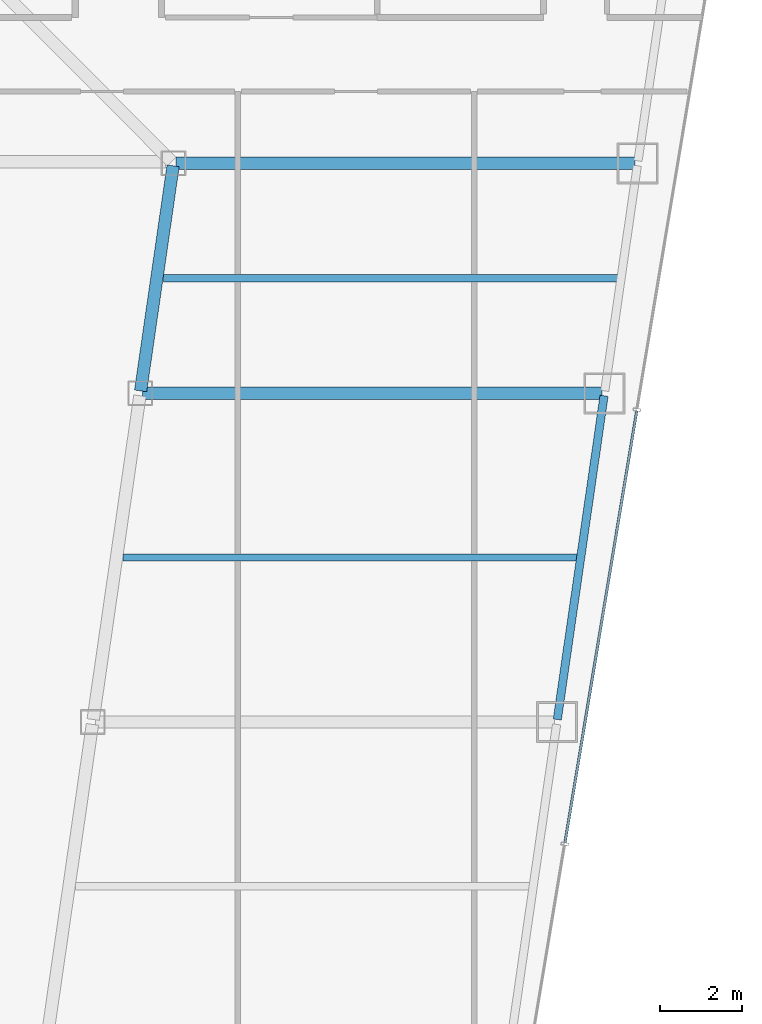
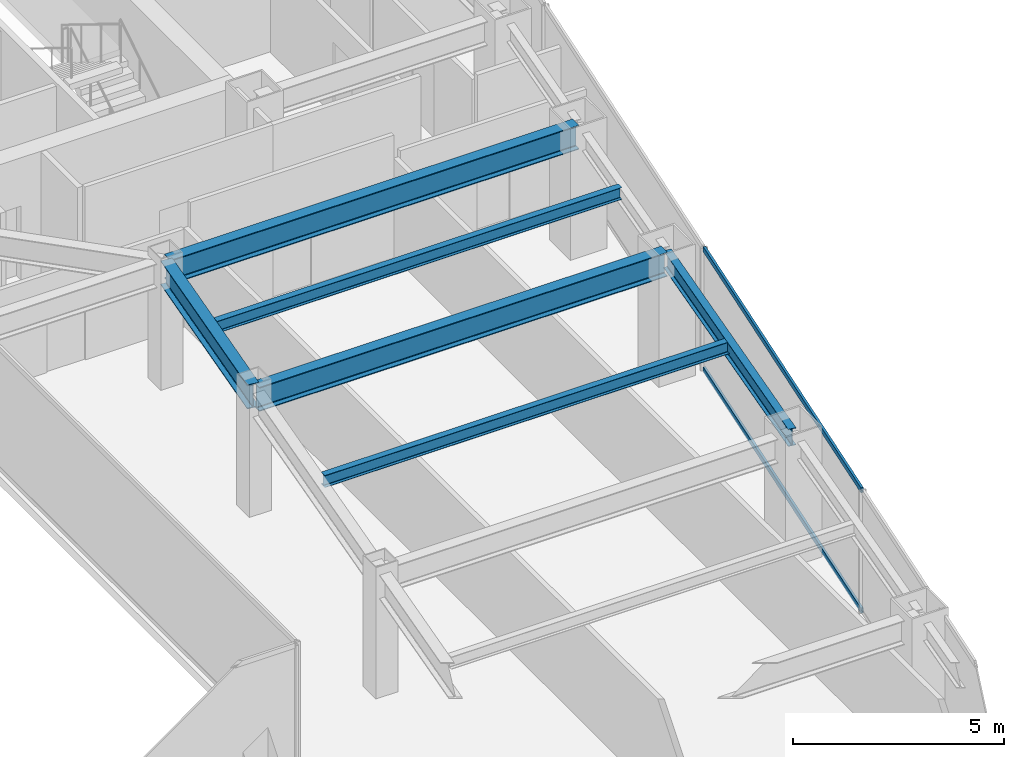
# One storey, part 17 of 36: 6 beams, 2 members, 1 element without a shape of its own.
"""IFC4 building model written with IfcOpenShell, lengths in metres."""

import ifcopenshell
import ifcopenshell.guid

model = None  # the IFC model being written
_history = None  # IfcOwnerHistory: only IFC2X3 demands one
_inside = {}  # id of a spatial element -> (the spatial element, [elements in it])
_under = {}  # id of a project, library or spatial element -> (it, [spatial elements below it])
_declared = {}  # id of a project -> (the project, [libraries it declares])
_typed = {}  # id of a type object -> (the type object, [elements of that type])
_made_of = {}  # id of a material, layer set ... -> (it, [elements and type objects made of it])


def new_model(schema):
    """Start an empty IFC model of exactly this schema.

    Asked for "IFC4X3", IfcOpenShell would pick the latest addendum, in which some entities
    have other attributes; the version numbers below select the first issue.
    IFC2X3 requires an IfcOwnerHistory on every rooted entity: one is made here for all.
    """
    global model, _history
    if schema == "IFC4X3":
        model = ifcopenshell.file(schema_version=(4, 3, 0, 0))
    else:
        model = ifcopenshell.file(schema=schema)
    _inside.clear()
    _under.clear()
    _declared.clear()
    _typed.clear()
    _made_of.clear()
    _history = None
    if model.schema == "IFC2X3":
        org = make("IfcOrganization", Name="unknown")
        user = make(
            "IfcPersonAndOrganization",
            ThePerson=make("IfcPerson", FamilyName="unknown"),
            TheOrganization=org,
        )
        app = make(
            "IfcApplication",
            ApplicationDeveloper=org,
            Version="unknown",
            ApplicationFullName="unknown",
            ApplicationIdentifier="unknown",
        )
        _history = make(
            "IfcOwnerHistory",
            OwningUser=user,
            OwningApplication=app,
            ChangeAction="ADDED",
            CreationDate=0,
        )
    return model


def make(cls, **values):
    """One entity of the class cls with the attributes given. An attribute that is None is left unset."""
    return model.create_entity(
        cls, **{name: value for name, value in values.items() if value is not None}
    )


def rooted(cls, **values):
    """An entity with a GlobalId (a new one), such as an element, a storey or a relation."""
    return make(cls, GlobalId=ifcopenshell.guid.new(), OwnerHistory=_history, **values)


def si_unit(unit_type, name, prefix=None):
    """IfcSIUnit, for example si_unit("LENGTHUNIT", "METRE", prefix="MILLI")."""
    return make("IfcSIUnit", UnitType=unit_type, Prefix=prefix, Name=name)


def assignment(units):
    """IfcUnitAssignment: the units of a project."""
    return None if units is None else make("IfcUnitAssignment", Units=units)


def point(xyz):
    """IfcCartesianPoint."""
    return None if xyz is None else make("IfcCartesianPoint", Coordinates=xyz)


def direction(xyz):
    """IfcDirection."""
    return None if xyz is None else make("IfcDirection", DirectionRatios=xyz)


def frame(location, z_axis=None, x_axis=None):
    """IfcAxis2Placement3D, a coordinate frame: its origin and axes. An axis left out is left unset."""
    return make(
        "IfcAxis2Placement3D",
        Location=point(location),
        Axis=direction(z_axis),
        RefDirection=direction(x_axis),
    )


def frame_2d(location, x_axis=None):
    """IfcAxis2Placement2D, a coordinate frame in the plane: its origin and x axis."""
    return make(
        "IfcAxis2Placement2D", Location=point(location), RefDirection=direction(x_axis)
    )


def origin():
    """The frame at (0, 0, 0) with its axes left unset."""
    return frame((0.0, 0.0, 0.0))


def origin_2d():
    """The frame at (0, 0) in the plane with its x axis left unset."""
    return frame_2d((0.0, 0.0))


def place(relative_to, where):
    """IfcLocalPlacement: puts the frame where relative to a parent placement (None: the world)."""
    return make(
        "IfcLocalPlacement", PlacementRelTo=relative_to, RelativePlacement=where
    )


def context(
    kind, dimensions, precision=None, world=None, true_north=None, identifier=None
):
    """IfcGeometricRepresentationContext, for example the 3D "Model" context."""
    return make(
        "IfcGeometricRepresentationContext",
        ContextIdentifier=identifier,
        ContextType=kind,
        CoordinateSpaceDimension=dimensions,
        Precision=precision,
        WorldCoordinateSystem=world,
        TrueNorth=true_north,
    )


def subcontext(parent, identifier, kind, view, scale=None):
    """IfcGeometricRepresentationSubContext, for example "Body" below "Model"."""
    return make(
        "IfcGeometricRepresentationSubContext",
        ContextIdentifier=identifier,
        ContextType=kind,
        ParentContext=parent,
        TargetScale=scale,
        TargetView=view,
    )


def project(units=None, contexts=None):
    """IfcProject with its units and contexts."""
    return rooted(
        "IfcProject",
        Name="project",
        RepresentationContexts=contexts,
        UnitsInContext=assignment(units),
    )


def spatial(cls, under=None, at=None, **own):
    """A site, building, storey or space (cls), placed at a placement, below another one or the project."""
    s = rooted(cls, ObjectPlacement=at, **own)
    if under is not None:
        _under.setdefault(under.id(), (under, []))[1].append(s)
    return s


def profile(cls, at=None, kind="AREA", **sizes):
    """A parametric profile (cls). Its sizes go by their IFC names, for example OverallWidth=200.0."""
    return make(cls, ProfileType=kind, Position=at, **sizes)


def hollow_rectangle(**sizes):
    """IfcRectangleHollowProfileDef."""
    return profile("IfcRectangleHollowProfileDef", **sizes)


def i_section(**sizes):
    """IfcIShapeProfileDef."""
    return profile("IfcIShapeProfileDef", **sizes)


def extrude(swept, where, along, depth):
    """IfcExtrudedAreaSolid: the profile swept, set in the frame where, extruded along a direction by depth."""
    return make(
        "IfcExtrudedAreaSolid",
        SweptArea=swept,
        Position=where,
        ExtrudedDirection=direction(along),
        Depth=depth,
    )


def shape(context_of_items, identifier, shape_type, items):
    """IfcShapeRepresentation: the items that make up one representation, for example the "Body"."""
    return make(
        "IfcShapeRepresentation",
        ContextOfItems=context_of_items,
        RepresentationIdentifier=identifier,
        RepresentationType=shape_type,
        Items=items,
    )


def material(Name=None, Category=None):
    """IfcMaterial."""
    return make("IfcMaterial", Name=Name, Category=Category)


def material_profile(
    of_material, cross_section, Name=None, Category=None, Priority=None
):
    """IfcMaterialProfile: a cross section and its material."""
    return make(
        "IfcMaterialProfile",
        Name=Name,
        Material=of_material,
        Profile=cross_section,
        Priority=Priority,
        Category=Category,
    )


def profile_set(profiles, Name=None, composite=None):
    """IfcMaterialProfileSet."""
    return make(
        "IfcMaterialProfileSet",
        Name=Name,
        MaterialProfiles=profiles,
        CompositeProfile=composite,
    )


def made_of(thing, what):
    """Note that an element or type object is made of a material, layer set ...; save() writes the relation."""
    if what is not None:
        _made_of.setdefault(what.id(), (what, []))[1].append(thing)
    return thing


def type_object(cls, material=None, **own):
    """A type object (cls), such as IfcWallType, which elements share."""
    return made_of(rooted(cls, **own), material)


def element(
    cls,
    number,
    at=None,
    inside=None,
    cuts=None,
    type_object=None,
    material=None,
    context=None,
    identifier="Body",
    shape_type=None,
    held_by="IfcProductDefinitionShape",
    body=None,
    shapes=None,
    **own,
):
    """One element of the class cls, such as IfcWall. Its Tag is "e" and its number.

    at: its placement. inside: the storey or other place that contains it. cuts: it is an
    opening in that element (IfcRelVoidsElement). A single representation is given by context,
    identifier, shape_type and body (its items); several are given by shapes. held_by: the class
    of the entity that holds the representations. save() writes the other relations.
    """
    e = rooted(cls, Tag="e%d" % number, ObjectPlacement=at, **own)
    if body is not None:
        shapes = [shape(context, identifier, shape_type, body)]
    if shapes is not None:
        e.Representation = make(held_by, Representations=shapes)
    if inside is not None:
        _inside.setdefault(inside.id(), (inside, []))[1].append(e)
    if cuts is not None:
        rooted(
            "IfcRelVoidsElement", RelatingBuildingElement=cuts, RelatedOpeningElement=e
        )
    if type_object is not None:
        _typed.setdefault(type_object.id(), (type_object, []))[1].append(e)
    return made_of(e, material)


def aggregate(whole, parts):
    """IfcRelAggregates: a whole, such as a stair, and the parts it consists of."""
    return rooted("IfcRelAggregates", RelatingObject=whole, RelatedObjects=parts)


def save(model, path):
    """Write the relations noted so far, then the file.

    IfcRelAggregates (storeys below a building ...), IfcRelContainedInSpatialStructure (elements
    in a storey), IfcRelDefinesByType, IfcRelAssociatesMaterial and IfcRelDeclares: one each for
    every whole, place, type object, material and project.
    """
    for whole, parts in _under.values():
        aggregate(whole, parts)
    for where, things in _inside.values():
        rooted(
            "IfcRelContainedInSpatialStructure",
            RelatedElements=things,
            RelatingStructure=where,
        )
    for kind, things in _typed.values():
        rooted("IfcRelDefinesByType", RelatedObjects=things, RelatingType=kind)
    for what, things in _made_of.values():
        rooted("IfcRelAssociatesMaterial", RelatedObjects=things, RelatingMaterial=what)
    for by, libraries in _declared.values():
        rooted("IfcRelDeclares", RelatingContext=by, RelatedDefinitions=libraries)
    model.write(path)


model = new_model("IFC4")

# Units and contexts
model_context = context("Model", 3, precision=1e-05, world=origin(), true_north=direction((0.0, 1.0)))
body_context = subcontext(model_context, "Body", "Model", "MODEL_VIEW")
ifc_project = project(units=[si_unit("LENGTHUNIT", "METRE"), si_unit("AREAUNIT", "SQUARE_METRE"), si_unit("VOLUMEUNIT", "CUBIC_METRE"), si_unit("PLANEANGLEUNIT", "RADIAN"), si_unit("MASSUNIT", "GRAM", prefix="KILO")], contexts=[model_context])

# Site, building, storey
site_placement = place(None, origin())
site = spatial("IfcSite", under=ifc_project, at=site_placement, CompositionType="ELEMENT")
building_placement = place(site_placement, origin())
building = spatial("IfcBuilding", under=site, at=building_placement, Name="Saevonmaru Cultural Tower", CompositionType="ELEMENT")
storey_placement = place(building_placement, frame((0.0, 0.0, 152.39990234375)))
storey = spatial("IfcBuildingStorey", under=building, at=storey_placement, Name="L33", CompositionType="ELEMENT", Elevation=152.39990234375)

# Beams
ifc_material_1 = material(Name="Steel SM355", Category="steel")
ifc_material_profile_1 = material_profile(ifc_material_1, i_section(OverallWidth=0.300048828125, OverallDepth=0.699951171875, WebThickness=0.012939453125, FlangeThickness=0.02392578125, FilletRadius=0.02587890625, at=origin_2d()), Name="H-700x300x13x24")
ifc_profile_set_1 = profile_set([ifc_material_profile_1], Name="Steel SM355")
beam_type_1 = type_object("IfcBeamType", Name="BM-G-H700", PredefinedType="BEAM", material=ifc_profile_set_1)
beam_1_placement = place(storey_placement, frame((40.3916015625, 32.059326171875, 3.2001953125), z_axis=(0.142964121327, 0.989727871697, 0.0), x_axis=(-0.989727871697, 0.142964121327, 0.0)))
element("IfcBeam", 1, at=beam_1_placement, inside=storey, type_object=beam_type_1, Name="L33 East Atrium Girder 4", PredefinedType="BEAM", context=body_context, shape_type="SweptSolid", body=[
    extrude(i_section(OverallWidth=0.300048828125, OverallDepth=0.699951171875, WebThickness=0.012939453125, FlangeThickness=0.02392578125, FilletRadius=0.02587890625, at=origin_2d()), origin(), (0.0, 0.0, 1.0), 5.5380859375),
])
for number, where, z_axis, x_axis, name in (
    (2, (40.443115234375, 32.0, 3.2001953125), (1.0, 0.0, 0.0), (0.0, 1.0, 0.0), "L33 East Wing Transverse Girder 4"),
    (3, (41.251953125, 37.60009765625, 3.2001953125), (1.0, 0.0, 0.0), (0.0, 1.0, 0.0), "L33 East Wing Transverse Girder 5"),
):
    element("IfcBeam", number, at=place(storey_placement, frame(where, z_axis=z_axis, x_axis=x_axis)), inside=storey, type_object=beam_type_1, Name=name, PredefinedType="BEAM", context=body_context, shape_type="SweptSolid", body=[
        extrude(i_section(OverallWidth=0.300048828125, OverallDepth=0.699951171875, WebThickness=0.012939453125, FlangeThickness=0.02392578125, FilletRadius=0.02587890625, at=origin_2d()), origin(), (0.0, 0.0, 1.0), 11.179931640625),
    ])
ifc_material_profile_2 = material_profile(ifc_material_1, i_section(OverallWidth=0.175048828125, OverallDepth=0.35009765625, WebThickness=0.007080078125, FlangeThickness=0.010986328125, FilletRadius=0.012939453125, at=origin_2d()), Name="H-350x175x7x11")
ifc_profile_set_2 = profile_set([ifc_material_profile_2], Name="Steel SM355")
beam_type_2 = type_object("IfcBeamType", Name="BM-J-H350", PredefinedType="JOIST", material=ifc_profile_set_2)
for number, where, z_axis, x_axis, name in (
    (4, (39.96337890625, 28.0, 3.375), (1.0, 0.0, 0.0), (0.0, 1.0, 0.0), "L33 East Wing Floor Joist 3"),
    (5, (40.945556640625, 34.800048828125, 3.375), (1.0, 0.0, 0.0), (0.0, 1.0, 0.0), "L33 East Wing Floor Joist 4"),
):
    element("IfcBeam", number, at=place(storey_placement, frame(where, z_axis=z_axis, x_axis=x_axis)), inside=storey, type_object=beam_type_2, Name=name, PredefinedType="JOIST", context=body_context, shape_type="SweptSolid", body=[
        extrude(i_section(OverallWidth=0.175048828125, OverallDepth=0.35009765625, WebThickness=0.007080078125, FlangeThickness=0.010986328125, FilletRadius=0.012939453125, at=origin_2d()), origin(), (0.0, 0.0, 1.0), 11.08203125),
    ])
ifc_material_profile_3 = material_profile(ifc_material_1, i_section(OverallWidth=0.199951171875, OverallDepth=0.5, WebThickness=0.010009765625, FlangeThickness=0.01611328125, FilletRadius=0.02001953125, at=origin_2d()), Name="H-500x200x10x16")
ifc_profile_set_3 = profile_set([ifc_material_profile_3], Name="Steel SM355")
beam_type_3 = type_object("IfcBeamType", Name="BM-SP-H500", PredefinedType="SPANDREL", material=ifc_profile_set_3)
beam_2_placement = place(storey_placement, frame((50.53662109375, 24.059326171875, 3.300048828125), z_axis=(0.142871999001, 0.989741174197, 0.0), x_axis=(-0.989741174197, 0.142871999001, 0.0)))
element("IfcBeam", 6, at=beam_2_placement, inside=storey, type_object=beam_type_3, Name="L33 East Splayed Spandrel 3", PredefinedType="SPANDREL", context=body_context, shape_type="SweptSolid", body=[
    extrude(i_section(OverallWidth=0.199951171875, OverallDepth=0.5, WebThickness=0.010009765625, FlangeThickness=0.01611328125, FilletRadius=0.02001953125, at=origin_2d()), origin(), (0.0, 0.0, 1.0), 7.963134765625),
])

# Curtain wall, members
ifc_material_2 = material(Name="Satin Bronze Anodised Aluminium", Category="aluminium")
curtain_wall_type = type_object("IfcCurtainWallType", Name="CW-TYP-A", PredefinedType="NOTDEFINED", material=ifc_material_2)
curtain_wall_placement = place(storey_placement, origin())
curtain_wall = element("IfcCurtainWall", 7, at=curtain_wall_placement, inside=storey, type_object=curtain_wall_type, Name="L33 Unitised Curtain Wall E8", PredefinedType="NOTDEFINED")
ifc_material_profile_4 = material_profile(ifc_material_2, hollow_rectangle(XDim=0.06494140625, YDim=0.14990234375, WallThickness=0.00390625, at=origin_2d()), Name="ALU-TRAN-150x65x4")
ifc_profile_set_4 = profile_set([ifc_material_profile_4], Name="Satin Bronze Anodised Aluminium")
member_type = type_object("IfcMemberType", Name="TR-CW-150x65", PredefinedType="USERDEFINED", material=ifc_profile_set_4)
member_1_placement = place(storey_placement, frame((50.7236328125, 21.061767578125, 0.03271484375), z_axis=(0.163993787386, 0.98646137162, 0.0), x_axis=(-0.98646137162, 0.163993787386, 0.0)))
member_1 = element("IfcMember", 8, at=member_1_placement, type_object=member_type, Name="CW-TW-L33-E8 transom 2.1", ObjectType="TRANSOM", PredefinedType="USERDEFINED", context=body_context, shape_type="SweptSolid", body=[
    extrude(hollow_rectangle(XDim=0.06494140625, YDim=0.14990234375, WallThickness=0.00390625, at=origin_2d()), origin(), (0.0, 0.0, 1.0), 10.650390625),
])
member_2_placement = place(storey_placement, frame((50.7236328125, 21.061767578125, 3.517578125), z_axis=(0.163993787386, 0.98646137162, 0.0), x_axis=(-0.98646137162, 0.163993787386, 0.0)))
member_2 = element("IfcMember", 9, at=member_2_placement, type_object=member_type, Name="CW-TW-L33-E8 transom 2.2", ObjectType="TRANSOM", PredefinedType="USERDEFINED", context=body_context, shape_type="SweptSolid", body=[
    extrude(hollow_rectangle(XDim=0.06494140625, YDim=0.14990234375, WallThickness=0.00390625, at=origin_2d()), origin(), (0.0, 0.0, 1.0), 10.650390625),
])
aggregate(curtain_wall, [member_1, member_2])

save(model, "model.ifc")
